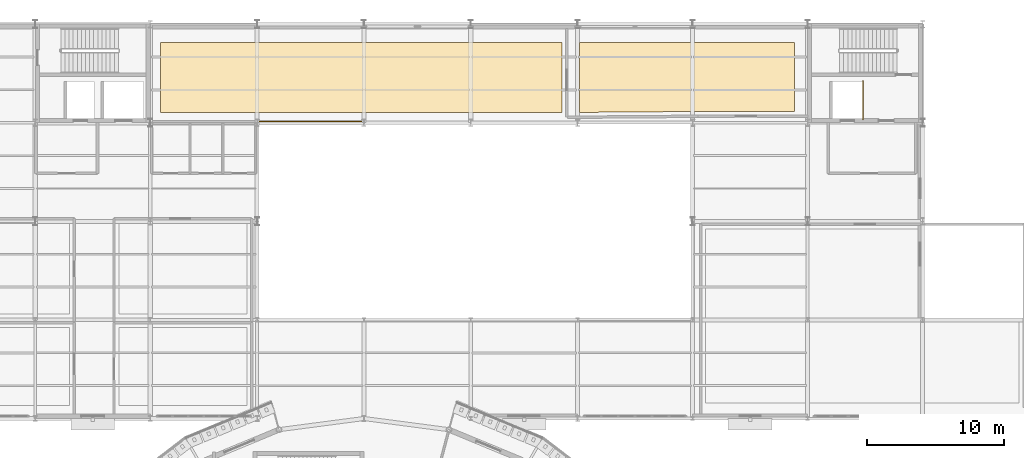
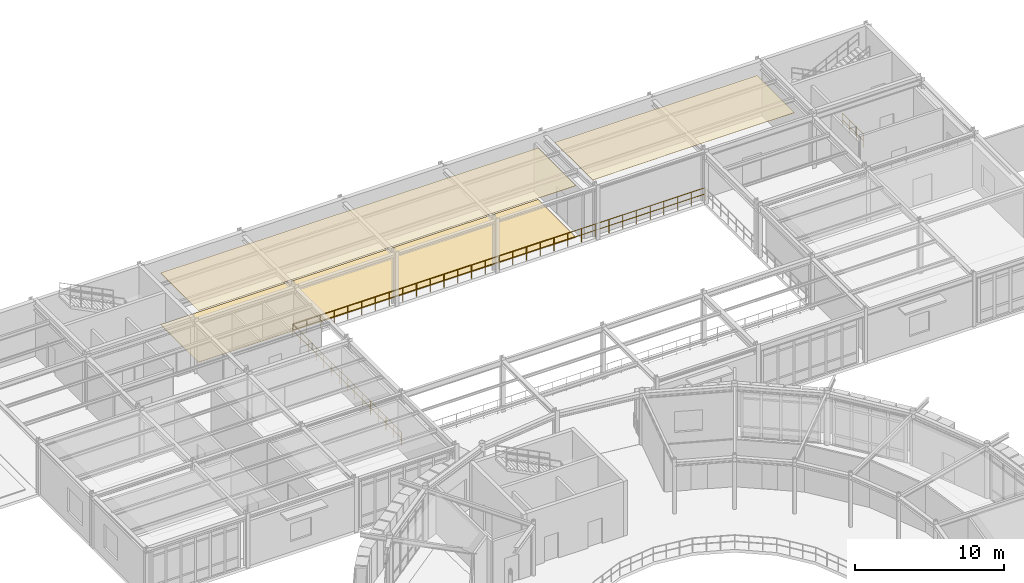
# One storey, part 104 of 106: 3 coverings, 2 railings.
"""IFC4 building model written with IfcOpenShell, lengths in metres."""

from ifc_helpers import new_model, si_unit, derived_unit, direction, frame, origin, origin_2d, place, context, subcontext, project, spatial, polyline, circle, outline, extrude, material, layer, layer_set, type_object, element, save


model = new_model("IFC4")

# Units and contexts
model_context = context("Model", 3, precision=1e-05, world=origin(), true_north=direction((0.0, 1.0)))
body_context = subcontext(model_context, "Body", "Model", "MODEL_VIEW")
ifc_project = project(units=[si_unit("LENGTHUNIT", "METRE"), si_unit("AREAUNIT", "SQUARE_METRE"), si_unit("VOLUMEUNIT", "CUBIC_METRE"), si_unit("PLANEANGLEUNIT", "RADIAN"), si_unit("MASSUNIT", "GRAM", prefix="KILO"), derived_unit("THERMALTRANSMITTANCEUNIT", [(si_unit("POWERUNIT", "WATT"), 1), (si_unit("AREAUNIT", "SQUARE_METRE"), -1), (si_unit("THERMODYNAMICTEMPERATUREUNIT", "KELVIN"), -1)])], contexts=[model_context])

# Site, building, storey
site_placement = place(None, origin())
site = spatial("IfcSite", under=ifc_project, at=site_placement, CompositionType="ELEMENT")
building_placement = place(site_placement, origin())
building = spatial("IfcBuilding", under=site, at=building_placement, Name="Yasenodar Specialist Clinic", CompositionType="ELEMENT")
storey_placement = place(building_placement, frame((0.0, 0.0, 4.5)))
storey = spatial("IfcBuildingStorey", under=building, at=storey_placement, Name="L01", CompositionType="ELEMENT", Elevation=4.5)

# Coverings
ifc_material_1 = material(Name="Hygienic Acoustic Mineral-Fibre Ceiling")
ifc_layer_1 = layer(ifc_material_1, 0.02490234375)
ifc_layer_set_1 = layer_set([ifc_layer_1], Name="Hygienic Acoustic Mineral-Fibre Ceiling")
covering_type_1 = type_object("IfcCoveringType", Name="COV-CEIL-AC", PredefinedType="CEILING", material=ifc_layer_set_1)
covering_1_placement = place(storey_placement, frame((0.0, 0.0, 4.22509765625)))
element("IfcCovering", 1, at=covering_1_placement, inside=storey, type_object=covering_type_1, Name="L01 Post-Procedure Recovery Ward Acoustic Ceiling", PredefinedType="CEILING", context=body_context, shape_type="SweptSolid", body=[
    extrude(outline(polyline([(95.449951171875, 105.14990234375), (66.14990234375, 105.14990234375), (66.14990234375, 110.25), (95.449951171875, 110.25), (95.449951171875, 105.14990234375)])), origin(), (0.0, 0.0, 1.0), 0.02490234375),
])
covering_2_placement = place(storey_placement, frame((0.0, 0.0, 4.22509765625)))
element("IfcCovering", 2, at=covering_2_placement, inside=storey, type_object=covering_type_1, Name="L01 Nurse Recovery Monitoring Station Acoustic Ceiling", PredefinedType="CEILING", context=body_context, shape_type="SweptSolid", body=[
    extrude(outline(polyline([(112.449951171875, 110.25), (112.449951171875, 105.219970703125), (105.3798828125, 105.219970703125), (105.376953125, 105.219970703125), (96.75, 105.153076171875), (96.75, 110.25), (112.449951171875, 110.25)])), origin(), (0.0, 0.0, 1.0), 0.02490234375),
])
ifc_material_2 = material(Name="Seamless Epoxy Terrazzo Clinical Flooring")
ifc_layer_2 = layer(ifc_material_2, 0.02001953125)
ifc_layer_set_2 = layer_set([ifc_layer_2], Name="Seamless Epoxy Terrazzo Clinical Flooring")
covering_type_2 = type_object("IfcCoveringType", Name="COV-FLR-TERR", PredefinedType="FLOORING", material=ifc_layer_set_2)
covering_3_placement = place(storey_placement, origin())
element("IfcCovering", 3, at=covering_3_placement, inside=storey, type_object=covering_type_2, Name="L01 Post-Procedure Recovery Ward Terrazzo Flooring", PredefinedType="FLOORING", context=body_context, shape_type="SweptSolid", body=[
    extrude(outline(polyline([(95.449951171875, 105.14990234375), (66.14990234375, 105.14990234375), (66.14990234375, 110.25), (95.449951171875, 110.25), (95.449951171875, 105.14990234375)])), origin(), (0.0, 0.0, 1.0), 0.02001953125),
])

# Railings
ifc_material_3 = material(Name="Steel S355 Painted Guardrail", Category="steel")
railing_type = type_object("IfcRailingType", Name="RL-GRD-1120", PredefinedType="GUARDRAIL", material=ifc_material_3)
railing_1_placement = place(storey_placement, frame((105.10009765625, 104.5, 0.0)))
element("IfcRailing", 4, at=railing_1_placement, inside=storey, type_object=railing_type, Name="L01 V5 Lightwell North-West Guardrail", PredefinedType="GUARDRAIL", context=body_context, shape_type="SweptSolid", body=[
    extrude(circle(Radius=0.02392578125, at=origin_2d()), frame((0.0, 0.0, 1.09619140625), z_axis=(-1.0, 0.0, 0.0), x_axis=(0.0, -1.0, 0.0)), (0.0, 0.0, 1.0), 32.0),
    extrude(circle(Radius=0.02392578125, at=origin_2d()), frame((0.0, 0.0, 0.58251953125), z_axis=(-1.0, 0.0, 0.0), x_axis=(0.0, -1.0, 0.0)), (0.0, 0.0, 1.0), 32.0),
    extrude(circle(Radius=0.02392578125, at=origin_2d()), frame((-32.0, 0.0, 1.09619140625), z_axis=(0.0, -1.0, 0.0), x_axis=(1.0, 0.0, 0.0)), (0.0, 0.0, 1.0), 14.60009765625),
    extrude(circle(Radius=0.02392578125, at=origin_2d()), frame((-32.0, 0.0, 0.58251953125), z_axis=(0.0, -1.0, 0.0), x_axis=(1.0, 0.0, 0.0)), (0.0, 0.0, 1.0), 14.60009765625),
    extrude(circle(Radius=0.02099609375, at=origin_2d()), origin(), (0.0, 0.0, 1.0), 1.072021484375),
    extrude(circle(Radius=0.02099609375, at=origin_2d()), frame((-1.066650390625, 0.0, 0.0)), (0.0, 0.0, 1.0), 1.072021484375),
    extrude(circle(Radius=0.02099609375, at=origin_2d()), frame((-2.13330078125, 0.0, 0.0)), (0.0, 0.0, 1.0), 1.072021484375),
    extrude(circle(Radius=0.02099609375, at=origin_2d()), frame((-3.199951171875, 0.0, 0.0)), (0.0, 0.0, 1.0), 1.072021484375),
    extrude(circle(Radius=0.02099609375, at=origin_2d()), frame((-4.2666015625, 0.0, 0.0)), (0.0, 0.0, 1.0), 1.072021484375),
    extrude(circle(Radius=0.02099609375, at=origin_2d()), frame((-5.333251953125, 0.0, 0.0)), (0.0, 0.0, 1.0), 1.072021484375),
    extrude(circle(Radius=0.02099609375, at=origin_2d()), frame((-6.39990234375, 0.0, 0.0)), (0.0, 0.0, 1.0), 1.072021484375),
    extrude(circle(Radius=0.02099609375, at=origin_2d()), frame((-7.466552734375, 0.0, 0.0)), (0.0, 0.0, 1.0), 1.072021484375),
    extrude(circle(Radius=0.02099609375, at=origin_2d()), frame((-8.533447265625, 0.0, 0.0)), (0.0, 0.0, 1.0), 1.072021484375),
    extrude(circle(Radius=0.02099609375, at=origin_2d()), frame((-9.60009765625, 0.0, 0.0)), (0.0, 0.0, 1.0), 1.072021484375),
    extrude(circle(Radius=0.02099609375, at=origin_2d()), frame((-10.666748046875, 0.0, 0.0)), (0.0, 0.0, 1.0), 1.072021484375),
    extrude(circle(Radius=0.02099609375, at=origin_2d()), frame((-11.7333984375, 0.0, 0.0)), (0.0, 0.0, 1.0), 1.072021484375),
    extrude(circle(Radius=0.02099609375, at=origin_2d()), frame((-12.800048828125, 0.0, 0.0)), (0.0, 0.0, 1.0), 1.072021484375),
    extrude(circle(Radius=0.02099609375, at=origin_2d()), frame((-13.86669921875, 0.0, 0.0)), (0.0, 0.0, 1.0), 1.072021484375),
    extrude(circle(Radius=0.02099609375, at=origin_2d()), frame((-14.933349609375, 0.0, 0.0)), (0.0, 0.0, 1.0), 1.072021484375),
    extrude(circle(Radius=0.02099609375, at=origin_2d()), frame((-16.0, 0.0, 0.0)), (0.0, 0.0, 1.0), 1.072021484375),
    extrude(circle(Radius=0.02099609375, at=origin_2d()), frame((-17.066650390625, 0.0, 0.0)), (0.0, 0.0, 1.0), 1.072021484375),
    extrude(circle(Radius=0.02099609375, at=origin_2d()), frame((-18.13330078125, 0.0, 0.0)), (0.0, 0.0, 1.0), 1.072021484375),
    extrude(circle(Radius=0.02099609375, at=origin_2d()), frame((-19.199951171875, 0.0, 0.0)), (0.0, 0.0, 1.0), 1.072021484375),
    extrude(circle(Radius=0.02099609375, at=origin_2d()), frame((-20.2666015625, 0.0, 0.0)), (0.0, 0.0, 1.0), 1.072021484375),
    extrude(circle(Radius=0.02099609375, at=origin_2d()), frame((-21.333251953125, 0.0, 0.0)), (0.0, 0.0, 1.0), 1.072021484375),
    extrude(circle(Radius=0.02099609375, at=origin_2d()), frame((-22.39990234375, 0.0, 0.0)), (0.0, 0.0, 1.0), 1.072021484375),
    extrude(circle(Radius=0.02099609375, at=origin_2d()), frame((-23.466552734375, 0.0, 0.0)), (0.0, 0.0, 1.0), 1.072021484375),
    extrude(circle(Radius=0.02099609375, at=origin_2d()), frame((-24.533447265625, 0.0, 0.0)), (0.0, 0.0, 1.0), 1.072021484375),
    extrude(circle(Radius=0.02099609375, at=origin_2d()), frame((-25.60009765625, 0.0, 0.0)), (0.0, 0.0, 1.0), 1.072021484375),
    extrude(circle(Radius=0.02099609375, at=origin_2d()), frame((-26.666748046875, 0.0, 0.0)), (0.0, 0.0, 1.0), 1.072021484375),
    extrude(circle(Radius=0.02099609375, at=origin_2d()), frame((-27.7333984375, 0.0, 0.0)), (0.0, 0.0, 1.0), 1.072021484375),
    extrude(circle(Radius=0.02099609375, at=origin_2d()), frame((-28.800048828125, 0.0, 0.0)), (0.0, 0.0, 1.0), 1.072021484375),
    extrude(circle(Radius=0.02099609375, at=origin_2d()), frame((-29.86669921875, 0.0, 0.0)), (0.0, 0.0, 1.0), 1.072021484375),
    extrude(circle(Radius=0.02099609375, at=origin_2d()), frame((-30.933349609375, 0.0, 0.0)), (0.0, 0.0, 1.0), 1.072021484375),
    extrude(circle(Radius=0.02099609375, at=origin_2d()), frame((-32.0, 0.0, 0.0)), (0.0, 0.0, 1.0), 1.072021484375),
    extrude(circle(Radius=0.02099609375, at=origin_2d()), frame((-32.0, -1.04296875, 0.0)), (0.0, 0.0, 1.0), 1.072021484375),
    extrude(circle(Radius=0.02099609375, at=origin_2d()), frame((-32.0, -2.085693359375, 0.0)), (0.0, 0.0, 1.0), 1.072021484375),
    extrude(circle(Radius=0.02099609375, at=origin_2d()), frame((-32.0, -3.128662109375, 0.0)), (0.0, 0.0, 1.0), 1.072021484375),
    extrude(circle(Radius=0.02099609375, at=origin_2d()), frame((-32.0, -4.17138671875, 0.0)), (0.0, 0.0, 1.0), 1.072021484375),
    extrude(circle(Radius=0.02099609375, at=origin_2d()), frame((-32.0, -5.21435546875, 0.0)), (0.0, 0.0, 1.0), 1.072021484375),
    extrude(circle(Radius=0.02099609375, at=origin_2d()), frame((-32.0, -6.257080078125, 0.0)), (0.0, 0.0, 1.0), 1.072021484375),
    extrude(circle(Radius=0.02099609375, at=origin_2d()), frame((-32.0, -7.300048828125, 0.0)), (0.0, 0.0, 1.0), 1.072021484375),
    extrude(circle(Radius=0.02099609375, at=origin_2d()), frame((-32.0, -8.343017578125, 0.0)), (0.0, 0.0, 1.0), 1.072021484375),
    extrude(circle(Radius=0.02099609375, at=origin_2d()), frame((-32.0, -9.3857421875, 0.0)), (0.0, 0.0, 1.0), 1.072021484375),
    extrude(circle(Radius=0.02099609375, at=origin_2d()), frame((-32.0, -10.4287109375, 0.0)), (0.0, 0.0, 1.0), 1.072021484375),
    extrude(circle(Radius=0.02099609375, at=origin_2d()), frame((-32.0, -11.471435546875, 0.0)), (0.0, 0.0, 1.0), 1.072021484375),
    extrude(circle(Radius=0.02099609375, at=origin_2d()), frame((-32.0, -12.514404296875, 0.0)), (0.0, 0.0, 1.0), 1.072021484375),
    extrude(circle(Radius=0.02099609375, at=origin_2d()), frame((-32.0, -13.55712890625, 0.0)), (0.0, 0.0, 1.0), 1.072021484375),
    extrude(circle(Radius=0.02099609375, at=origin_2d()), frame((-32.0, -14.60009765625, 0.0)), (0.0, 0.0, 1.0), 1.072021484375),
])
railing_2_placement = place(storey_placement, frame((117.449951171875, 104.64990234375, 0.0)))
element("IfcRailing", 5, at=railing_2_placement, inside=storey, type_object=railing_type, Name="L01 Core C5 Lift LF-08 Shaft Guardrail", PredefinedType="GUARDRAIL", context=body_context, shape_type="SweptSolid", body=[
    extrude(circle(Radius=0.02392578125, at=origin_2d()), frame((0.0, 0.0, 1.09619140625), z_axis=(0.0, 1.0, 0.0), x_axis=(-1.0, 0.0, 0.0)), (0.0, 0.0, 1.0), 2.800048828125),
    extrude(circle(Radius=0.02392578125, at=origin_2d()), frame((0.0, 0.0, 0.58251953125), z_axis=(0.0, 1.0, 0.0), x_axis=(-1.0, 0.0, 0.0)), (0.0, 0.0, 1.0), 2.800048828125),
    extrude(circle(Radius=0.02099609375, at=origin_2d()), origin(), (0.0, 0.0, 1.0), 1.072021484375),
    extrude(circle(Radius=0.02099609375, at=origin_2d()), frame((0.0, 0.933349609375, 0.0)), (0.0, 0.0, 1.0), 1.072021484375),
    extrude(circle(Radius=0.02099609375, at=origin_2d()), frame((0.0, 1.86669921875, 0.0)), (0.0, 0.0, 1.0), 1.072021484375),
    extrude(circle(Radius=0.02099609375, at=origin_2d()), frame((0.0, 2.800048828125, 0.0)), (0.0, 0.0, 1.0), 1.072021484375),
])

save(model, "model.ifc")
